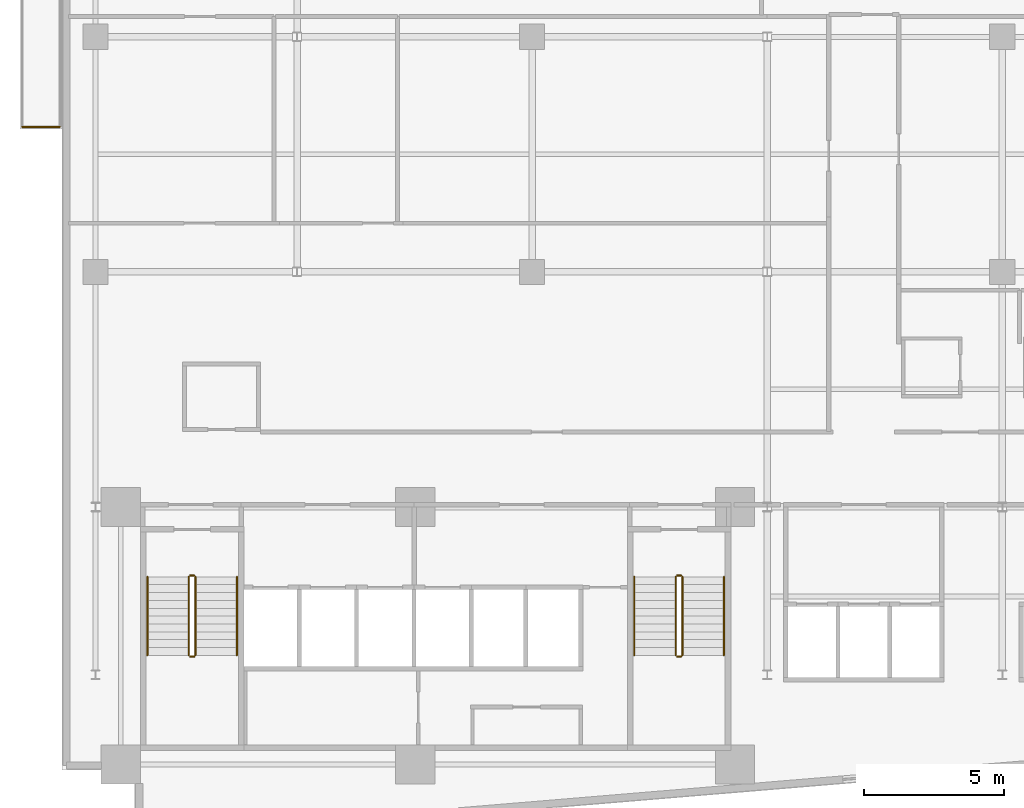
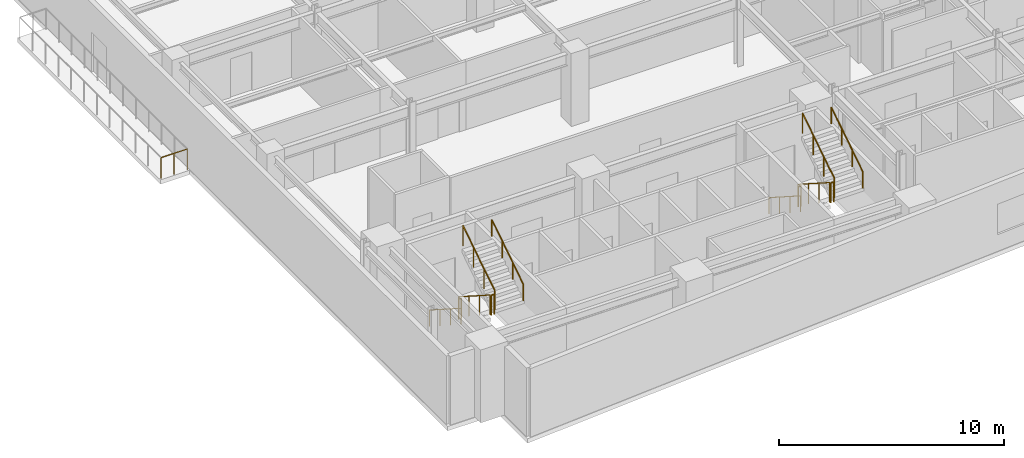
# One storey, part 16 of 20: 13 railings.
"""IFC4 building model written with IfcOpenShell, lengths in metres."""

from ifc_helpers import new_model, si_unit, direction, frame, origin, origin_2d, place, context, subcontext, project, spatial, circle, extrude, material, type_object, element, save


model = new_model("IFC4")

# Units and contexts
model_context = context("Model", 3, precision=1e-05, world=origin(), true_north=direction((0.0, 1.0)))
body_context = subcontext(model_context, "Body", "Model", "MODEL_VIEW")
ifc_project = project(units=[si_unit("LENGTHUNIT", "METRE"), si_unit("AREAUNIT", "SQUARE_METRE"), si_unit("VOLUMEUNIT", "CUBIC_METRE"), si_unit("PLANEANGLEUNIT", "RADIAN"), si_unit("MASSUNIT", "GRAM", prefix="KILO")], contexts=[model_context])

# Site, building, storey
site_placement = place(None, origin())
site = spatial("IfcSite", under=ifc_project, at=site_placement, CompositionType="ELEMENT")
building_placement = place(site_placement, origin())
building = spatial("IfcBuilding", under=site, at=building_placement, Name="Varnakote Quay Hospital", CompositionType="ELEMENT")
storey_placement = place(building_placement, frame((0.0, 0.0, 81.75)))
storey = spatial("IfcBuildingStorey", under=building, at=storey_placement, Name="L20", CompositionType="ELEMENT", Elevation=81.75)

# Railings
ifc_material_1 = material(Name="Anodised aluminium 6063-T6 Bronze", Category="aluminium")
railing_type_1 = type_object("IfcRailingType", Name="RLG-EXT-GUARD-1150", PredefinedType="GUARDRAIL", material=ifc_material_1)
railing_1_placement = place(storey_placement, frame((-0.075927734375, 25.580078125, 0.0)))
element("IfcRailing", 1, at=railing_1_placement, inside=storey, type_object=railing_type_1, Name="L20 Zigzag Prow Healing Terrace Safety Guard", PredefinedType="GUARDRAIL", context=body_context, shape_type="SweptSolid", body=[
    extrude(circle(Radius=0.02392578125, at=origin_2d()), frame((0.0, 0.0, 1.1259765625), z_axis=(-1.0, 0.0, 0.0), x_axis=(0.0, -1.0, 0.0)), (0.0, 0.0, 1.0), 1.343994140625),
    extrude(circle(Radius=0.02099609375, at=origin_2d()), origin(), (0.0, 0.0, 1.0), 1.101806640625),
    extrude(circle(Radius=0.02099609375, at=origin_2d()), frame((-0.671875, 0.0, 0.0)), (0.0, 0.0, 1.0), 1.101806640625),
    extrude(circle(Radius=0.02099609375, at=origin_2d()), frame((-1.343994140625, 0.0, 0.0)), (0.0, 0.0, 1.0), 1.101806640625),
])
ifc_material_2 = material(Name="Brushed stainless steel balustrade", Category="steel")
railing_type_2 = type_object("IfcRailingType", Name="RLG-STAIR-GUARD-1150", PredefinedType="GUARDRAIL", material=ifc_material_2)
railing_2_placement = place(storey_placement, frame((4.530029296875, 9.5, 0.179443359375)))
element("IfcRailing", 2, at=railing_2_placement, inside=storey, type_object=railing_type_2, Name="L20 ST-01 stair guard 1", PredefinedType="GUARDRAIL", context=body_context, shape_type="SweptSolid", body=[
    extrude(circle(Radius=0.02392578125, at=origin_2d()), frame((0.0, 0.0, 1.076171875), z_axis=(0.0, -0.841776520102, 0.539826166654), x_axis=(1.0, 0.0, 0.0)), (0.0, 0.0, 1.0), 3.326416015625),
    extrude(circle(Radius=0.02099609375, at=origin_2d()), origin(), (0.0, 0.0, 1.0), 1.052001953125),
    extrude(circle(Radius=0.02099609375, at=origin_2d()), frame((0.0, -0.933349609375, 0.5986328125)), (0.0, 0.0, 1.0), 1.052001953125),
    extrude(circle(Radius=0.02099609375, at=origin_2d()), frame((0.0, -1.86669921875, 1.197021484375)), (0.0, 0.0, 1.0), 1.052001953125),
    extrude(circle(Radius=0.02099609375, at=origin_2d()), frame((0.0, -2.800048828125, 1.795654296875)), (0.0, 0.0, 1.0), 1.052001953125),
])
railing_3_placement = place(storey_placement, frame((4.580078125, 6.64990234375, 1.97509765625)))
element("IfcRailing", 3, at=railing_3_placement, inside=storey, type_object=railing_type_2, Name="L20 ST-01 stair guard 2", PredefinedType="GUARDRAIL", context=body_context, shape_type="SweptSolid", body=[
    extrude(circle(Radius=0.02392578125, at=origin_2d()), frame((0.0, 0.0, 1.076171875), z_axis=(1.0, 0.0, 0.0), x_axis=(0.0, 1.0, 0.0)), (0.0, 0.0, 1.0), 0.139892578125),
    extrude(circle(Radius=0.02099609375, at=origin_2d()), origin(), (0.0, 0.0, 1.0), 1.052001953125),
    extrude(circle(Radius=0.02099609375, at=origin_2d()), frame((0.139892578125, 0.0, 0.0)), (0.0, 0.0, 1.0), 1.052001953125),
])
railing_4_placement = place(storey_placement, frame((4.77001953125, 6.699951171875, 2.154541015625)))
element("IfcRailing", 4, at=railing_4_placement, inside=storey, type_object=railing_type_2, Name="L20 ST-01 stair guard 3", PredefinedType="GUARDRAIL", context=body_context, shape_type="SweptSolid", body=[
    extrude(circle(Radius=0.02392578125, at=origin_2d()), frame((0.0, 0.0, 1.076171875), z_axis=(0.0, 0.841809871826, 0.539774156196), x_axis=(-1.0, 0.0, 0.0)), (0.0, 0.0, 1.0), 3.326171875),
    extrude(circle(Radius=0.02099609375, at=origin_2d()), origin(), (0.0, 0.0, 1.0), 1.052001953125),
    extrude(circle(Radius=0.02099609375, at=origin_2d()), frame((0.0, 0.933349609375, 0.598388671875)), (0.0, 0.0, 1.0), 1.052001953125),
    extrude(circle(Radius=0.02099609375, at=origin_2d()), frame((0.0, 1.86669921875, 1.197021484375)), (0.0, 0.0, 1.0), 1.052001953125),
    extrude(circle(Radius=0.02099609375, at=origin_2d()), frame((0.0, 2.800048828125, 1.79541015625)), (0.0, 0.0, 1.0), 1.052001953125),
])
railing_5_placement = place(storey_placement, frame((4.580078125, 9.550048828125, 0.0)))
element("IfcRailing", 5, at=railing_5_placement, inside=storey, type_object=railing_type_2, Name="L20 ST-01 stair guard 4", PredefinedType="GUARDRAIL", context=body_context, shape_type="SweptSolid", body=[
    extrude(circle(Radius=0.02392578125, at=origin_2d()), frame((0.0, 0.0, 1.076171875), z_axis=(1.0, 0.0, 0.0), x_axis=(0.0, 1.0, 0.0)), (0.0, 0.0, 1.0), 0.139892578125),
    extrude(circle(Radius=0.02099609375, at=origin_2d()), origin(), (0.0, 0.0, 1.0), 1.052001953125),
    extrude(circle(Radius=0.02099609375, at=origin_2d()), frame((0.139892578125, 0.0, 0.0)), (0.0, 0.0, 1.0), 1.052001953125),
])
railing_6_placement = place(storey_placement, frame((21.929931640625, 9.5, 0.179443359375)))
element("IfcRailing", 6, at=railing_6_placement, inside=storey, type_object=railing_type_2, Name="L20 ST-02 stair guard 1", PredefinedType="GUARDRAIL", context=body_context, shape_type="SweptSolid", body=[
    extrude(circle(Radius=0.02392578125, at=origin_2d()), frame((0.0, 0.0, 1.076171875), z_axis=(0.0, -0.841776520102, 0.539826166654), x_axis=(1.0, 0.0, 0.0)), (0.0, 0.0, 1.0), 3.326416015625),
    extrude(circle(Radius=0.02099609375, at=origin_2d()), origin(), (0.0, 0.0, 1.0), 1.052001953125),
    extrude(circle(Radius=0.02099609375, at=origin_2d()), frame((0.0, -0.933349609375, 0.5986328125)), (0.0, 0.0, 1.0), 1.052001953125),
    extrude(circle(Radius=0.02099609375, at=origin_2d()), frame((0.0, -1.86669921875, 1.197021484375)), (0.0, 0.0, 1.0), 1.052001953125),
    extrude(circle(Radius=0.02099609375, at=origin_2d()), frame((0.0, -2.800048828125, 1.795654296875)), (0.0, 0.0, 1.0), 1.052001953125),
])
railing_7_placement = place(storey_placement, frame((21.97998046875, 6.64990234375, 1.97509765625)))
element("IfcRailing", 7, at=railing_7_placement, inside=storey, type_object=railing_type_2, Name="L20 ST-02 stair guard 2", PredefinedType="GUARDRAIL", context=body_context, shape_type="SweptSolid", body=[
    extrude(circle(Radius=0.02392578125, at=origin_2d()), frame((0.0, 0.0, 1.076171875), z_axis=(1.0, 0.0, 0.0), x_axis=(0.0, 1.0, 0.0)), (0.0, 0.0, 1.0), 0.14013671875),
    extrude(circle(Radius=0.02099609375, at=origin_2d()), origin(), (0.0, 0.0, 1.0), 1.052001953125),
    extrude(circle(Radius=0.02099609375, at=origin_2d()), frame((0.14013671875, 0.0, 0.0)), (0.0, 0.0, 1.0), 1.052001953125),
])
railing_8_placement = place(storey_placement, frame((22.169921875, 6.699951171875, 2.154541015625)))
element("IfcRailing", 8, at=railing_8_placement, inside=storey, type_object=railing_type_2, Name="L20 ST-02 stair guard 3", PredefinedType="GUARDRAIL", context=body_context, shape_type="SweptSolid", body=[
    extrude(circle(Radius=0.02392578125, at=origin_2d()), frame((0.0, 0.0, 1.076171875), z_axis=(0.0, 0.841809871826, 0.539774156196), x_axis=(-1.0, 0.0, 0.0)), (0.0, 0.0, 1.0), 3.326171875),
    extrude(circle(Radius=0.02099609375, at=origin_2d()), origin(), (0.0, 0.0, 1.0), 1.052001953125),
    extrude(circle(Radius=0.02099609375, at=origin_2d()), frame((0.0, 0.933349609375, 0.598388671875)), (0.0, 0.0, 1.0), 1.052001953125),
    extrude(circle(Radius=0.02099609375, at=origin_2d()), frame((0.0, 1.86669921875, 1.197021484375)), (0.0, 0.0, 1.0), 1.052001953125),
    extrude(circle(Radius=0.02099609375, at=origin_2d()), frame((0.0, 2.800048828125, 1.79541015625)), (0.0, 0.0, 1.0), 1.052001953125),
])
railing_9_placement = place(storey_placement, frame((21.97998046875, 9.550048828125, 0.0)))
element("IfcRailing", 9, at=railing_9_placement, inside=storey, type_object=railing_type_2, Name="L20 ST-02 stair guard 4", PredefinedType="GUARDRAIL", context=body_context, shape_type="SweptSolid", body=[
    extrude(circle(Radius=0.02392578125, at=origin_2d()), frame((0.0, 0.0, 1.076171875), z_axis=(1.0, 0.0, 0.0), x_axis=(0.0, 1.0, 0.0)), (0.0, 0.0, 1.0), 0.14013671875),
    extrude(circle(Radius=0.02099609375, at=origin_2d()), origin(), (0.0, 0.0, 1.0), 1.052001953125),
    extrude(circle(Radius=0.02099609375, at=origin_2d()), frame((0.14013671875, 0.0, 0.0)), (0.0, 0.0, 1.0), 1.052001953125),
])
ifc_material_3 = material(Name="Brushed stainless steel handrail", Category="steel")
railing_type_3 = type_object("IfcRailingType", Name="RLG-STAIR-HND-920", PredefinedType="HANDRAIL", material=ifc_material_3)
railing_10_placement = place(storey_placement, frame((3.050048828125, 9.5, 0.179443359375)))
element("IfcRailing", 10, at=railing_10_placement, inside=storey, type_object=railing_type_3, Name="L20 ST-01 stair handrail 1", PredefinedType="HANDRAIL", context=body_context, shape_type="SweptSolid", body=[
    extrude(circle(Radius=0.02392578125, at=origin_2d()), frame((0.0, 0.0, 0.8759765625), z_axis=(0.0, -0.841776520102, 0.539826166654), x_axis=(1.0, 0.0, 0.0)), (0.0, 0.0, 1.0), 3.326416015625),
    extrude(circle(Radius=0.02099609375, at=origin_2d()), origin(), (0.0, 0.0, 1.0), 0.851806640625),
    extrude(circle(Radius=0.02099609375, at=origin_2d()), frame((0.0, -0.933349609375, 0.5986328125)), (0.0, 0.0, 1.0), 0.851806640625),
    extrude(circle(Radius=0.02099609375, at=origin_2d()), frame((0.0, -1.86669921875, 1.197021484375)), (0.0, 0.0, 1.0), 0.851806640625),
    extrude(circle(Radius=0.02099609375, at=origin_2d()), frame((0.0, -2.800048828125, 1.795654296875)), (0.0, 0.0, 1.0), 0.851806640625),
])
railing_11_placement = place(storey_placement, frame((6.25, 6.699951171875, 2.154541015625)))
element("IfcRailing", 11, at=railing_11_placement, inside=storey, type_object=railing_type_3, Name="L20 ST-01 stair handrail 2", PredefinedType="HANDRAIL", context=body_context, shape_type="SweptSolid", body=[
    extrude(circle(Radius=0.02392578125, at=origin_2d()), frame((0.0, 0.0, 0.8759765625), z_axis=(0.0, 0.841809871826, 0.539774156196), x_axis=(-1.0, 0.0, 0.0)), (0.0, 0.0, 1.0), 3.326171875),
    extrude(circle(Radius=0.02099609375, at=origin_2d()), origin(), (0.0, 0.0, 1.0), 0.851806640625),
    extrude(circle(Radius=0.02099609375, at=origin_2d()), frame((0.0, 0.933349609375, 0.598388671875)), (0.0, 0.0, 1.0), 0.851806640625),
    extrude(circle(Radius=0.02099609375, at=origin_2d()), frame((0.0, 1.86669921875, 1.197021484375)), (0.0, 0.0, 1.0), 0.851806640625),
    extrude(circle(Radius=0.02099609375, at=origin_2d()), frame((0.0, 2.800048828125, 1.79541015625)), (0.0, 0.0, 1.0), 0.851806640625),
])
railing_12_placement = place(storey_placement, frame((20.449951171875, 9.5, 0.179443359375)))
element("IfcRailing", 12, at=railing_12_placement, inside=storey, type_object=railing_type_3, Name="L20 ST-02 stair handrail 1", PredefinedType="HANDRAIL", context=body_context, shape_type="SweptSolid", body=[
    extrude(circle(Radius=0.02392578125, at=origin_2d()), frame((0.0, 0.0, 0.8759765625), z_axis=(0.0, -0.841776520102, 0.539826166654), x_axis=(1.0, 0.0, 0.0)), (0.0, 0.0, 1.0), 3.326416015625),
    extrude(circle(Radius=0.02099609375, at=origin_2d()), origin(), (0.0, 0.0, 1.0), 0.851806640625),
    extrude(circle(Radius=0.02099609375, at=origin_2d()), frame((0.0, -0.933349609375, 0.5986328125)), (0.0, 0.0, 1.0), 0.851806640625),
    extrude(circle(Radius=0.02099609375, at=origin_2d()), frame((0.0, -1.86669921875, 1.197021484375)), (0.0, 0.0, 1.0), 0.851806640625),
    extrude(circle(Radius=0.02099609375, at=origin_2d()), frame((0.0, -2.800048828125, 1.795654296875)), (0.0, 0.0, 1.0), 0.851806640625),
])
railing_13_placement = place(storey_placement, frame((23.64990234375, 6.699951171875, 2.154541015625)))
element("IfcRailing", 13, at=railing_13_placement, inside=storey, type_object=railing_type_3, Name="L20 ST-02 stair handrail 2", PredefinedType="HANDRAIL", context=body_context, shape_type="SweptSolid", body=[
    extrude(circle(Radius=0.02392578125, at=origin_2d()), frame((0.0, 0.0, 0.8759765625), z_axis=(0.0, 0.841809871826, 0.539774156196), x_axis=(-1.0, 0.0, 0.0)), (0.0, 0.0, 1.0), 3.326171875),
    extrude(circle(Radius=0.02099609375, at=origin_2d()), origin(), (0.0, 0.0, 1.0), 0.851806640625),
    extrude(circle(Radius=0.02099609375, at=origin_2d()), frame((0.0, 0.933349609375, 0.598388671875)), (0.0, 0.0, 1.0), 0.851806640625),
    extrude(circle(Radius=0.02099609375, at=origin_2d()), frame((0.0, 1.86669921875, 1.197021484375)), (0.0, 0.0, 1.0), 0.851806640625),
    extrude(circle(Radius=0.02099609375, at=origin_2d()), frame((0.0, 2.800048828125, 1.79541015625)), (0.0, 0.0, 1.0), 0.851806640625),
])

save(model, "model.ifc")
